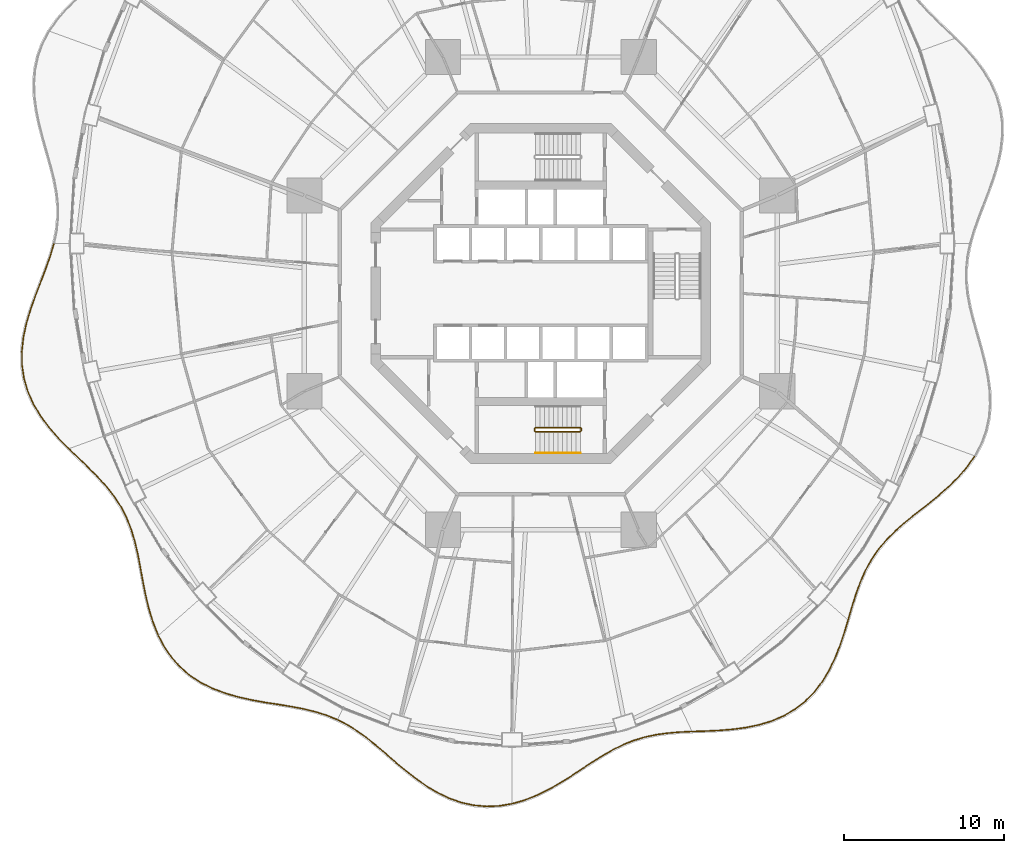
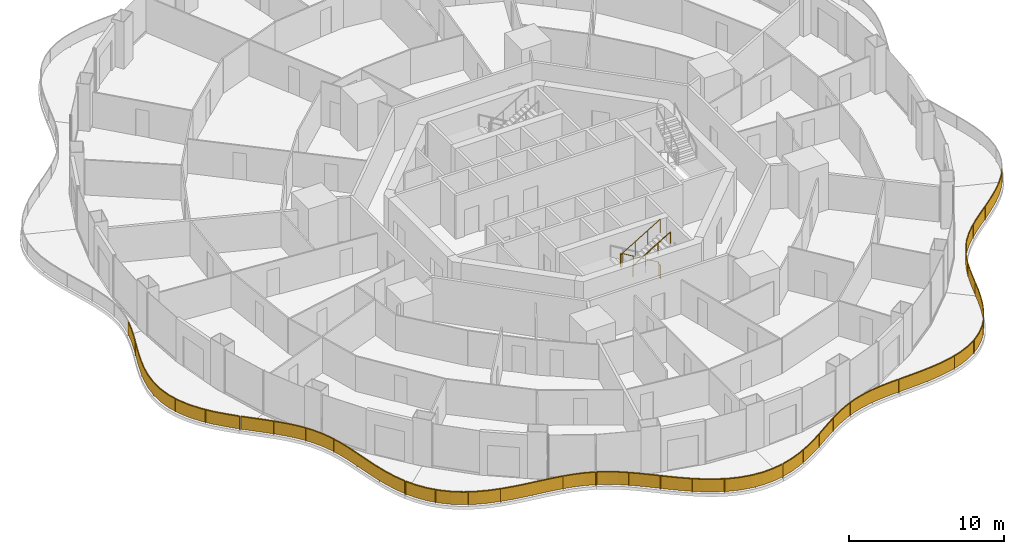
# One storey, part 20 of 22: 9 railings.
"""IFC4 building model written with IfcOpenShell, lengths in metres."""

from ifc_helpers import new_model, si_unit, direction, frame, origin, origin_2d, place, context, subcontext, project, spatial, polyline, rectangle, circle, outline, extrude, material, type_object, element, save


model = new_model("IFC4")

# Units and contexts
model_context = context("Model", 3, precision=1e-05, world=origin(), true_north=direction((0.0, 1.0)))
body_context = subcontext(model_context, "Body", "Model", "MODEL_VIEW")
ifc_project = project(units=[si_unit("LENGTHUNIT", "METRE"), si_unit("AREAUNIT", "SQUARE_METRE"), si_unit("VOLUMEUNIT", "CUBIC_METRE"), si_unit("PLANEANGLEUNIT", "RADIAN"), si_unit("MASSUNIT", "GRAM", prefix="KILO")], contexts=[model_context])

# Site, building, storey
site_placement = place(None, origin())
site = spatial("IfcSite", under=ifc_project, at=site_placement, CompositionType="ELEMENT")
building_placement = place(site_placement, origin())
building = spatial("IfcBuilding", under=site, at=building_placement, Name="Nagisa Residences", CompositionType="ELEMENT")
storey_placement = place(building_placement, frame((0.0, 0.0, 77.0)))
storey = spatial("IfcBuildingStorey", under=building, at=storey_placement, Name="L18", CompositionType="ELEMENT", Elevation=77.0)

# Railings
ifc_material_1 = material(Name="Stainless steel 316", Category="steel")
railing_type_1 = type_object("IfcRailingType", Name="BALCONY GUARD 1100", PredefinedType="BALUSTRADE", material=ifc_material_1)
railing_1_placement = place(storey_placement, frame((-30.450439453125, 3.08349609375, 0.0)))
element("IfcRailing", 1, at=railing_1_placement, inside=storey, type_object=railing_type_1, Name="guard:L18:bal08-0", PredefinedType="BALUSTRADE", context=body_context, shape_type="SweptSolid", body=[
    extrude(outline(polyline([(-0.19775390625, -0.763427734375), (0.02392578125, -0.007080078125), (-0.02392578125, 0.007080078125), (-0.24560546875, -0.748291015625), (-0.530517578125, -1.557373046875), (-0.846923828125, -2.3828125), (-1.169921875, -3.2255859375), (-1.473388671875, -4.08349609375), (-1.732666015625, -4.93994140625), (-1.920654296875, -5.816650390625), (-2.018310546875, -6.69189453125), (-2.010009765625, -7.55810546875), (-1.886962890625, -8.40673828125), (-1.650634765625, -9.216552734375), (-1.298828125, -10.0087890625), (-0.84619140625, -10.765380859375), (-0.31005859375, -11.48486328125), (0.288818359375, -12.169677734375), (0.89599609375, -12.789306640625), (0.931640625, -12.754150390625), (0.325439453125, -12.135498046875), (-0.27099609375, -11.45361328125), (-0.8046875, -10.737548828125), (-1.25439453125, -9.98583984375), (-1.603759765625, -9.199462890625), (-1.838134765625, -8.39599609375), (-1.960205078125, -7.55419921875), (-1.968017578125, -6.6943359375), (-1.871337890625, -5.824462890625), (-1.684326171875, -4.95263671875), (-1.426025390625, -4.09912109375), (-1.123046875, -3.24267578125), (-0.800048828125, -2.40087890625), (-0.483642578125, -1.574462890625), (-0.19775390625, -0.763427734375)])), frame((0.0, 0.0, 1.050048828125)), (0.0, 0.0, 1.0), 0.050048828125),
    extrude(outline(polyline([(-0.215087890625, -0.758056640625), (0.0068359375, -0.001953125), (-0.0068359375, 0.001953125), (-0.228271484375, -0.753662109375), (-0.513671875, -1.5634765625), (-0.830078125, -2.389404296875), (-1.153076171875, -3.231689453125), (-1.456298828125, -4.089111328125), (-1.71533203125, -4.944580078125), (-1.90283203125, -5.8193359375), (-2.000244140625, -6.69287109375), (-1.9921875, -7.556640625), (-1.869384765625, -8.40283203125), (-1.6337890625, -9.21044921875), (-1.28271484375, -10.00048828125), (-0.831298828125, -10.75537109375), (-0.2958984375, -11.4736328125), (0.302001953125, -12.1572265625), (0.908935546875, -12.776611328125), (0.918701171875, -12.766845703125), (0.312255859375, -12.14794921875), (-0.28515625, -11.46484375), (-0.819580078125, -10.74755859375), (-1.2705078125, -9.994140625), (-1.62060546875, -9.20556640625), (-1.855712890625, -8.39990234375), (-1.97802734375, -7.5556640625), (-1.986083984375, -6.693359375), (-1.88916015625, -5.82177734375), (-1.70166015625, -4.947998046875), (-1.443115234375, -4.093505859375), (-1.139892578125, -3.236572265625), (-0.81689453125, -2.394287109375), (-0.50048828125, -1.568359375), (-0.215087890625, -0.758056640625)])), frame((0.0, 0.0, 0.06005859375)), (0.0, 0.0, 1.0), 0.989990234375),
    extrude(rectangle(XDim=0.0400390625, YDim=0.0400390625, at=origin_2d()), origin(), (0.0, 0.0, 1.0), 1.050048828125),
    extrude(rectangle(XDim=0.0400390625, YDim=0.0400390625, at=origin_2d()), frame((-0.75146484375, -2.20361328125, 0.0)), (0.0, 0.0, 1.0), 1.050048828125),
    extrude(rectangle(XDim=0.0400390625, YDim=0.0400390625, at=origin_2d()), frame((-1.54150390625, -4.39453125, 0.0)), (0.0, 0.0, 1.0), 1.050048828125),
    extrude(rectangle(XDim=0.0400390625, YDim=0.0400390625, at=origin_2d()), frame((-1.990966796875, -6.67431640625, 0.0)), (0.0, 0.0, 1.0), 1.050048828125),
    extrude(rectangle(XDim=0.0400390625, YDim=0.0400390625, at=origin_2d()), frame((-1.6962890625, -8.970947265625, 0.0)), (0.0, 0.0, 1.0), 1.050048828125),
    extrude(rectangle(XDim=0.0400390625, YDim=0.0400390625, at=origin_2d()), frame((-0.6220703125, -11.0244140625, 0.0)), (0.0, 0.0, 1.0), 1.050048828125),
    extrude(rectangle(XDim=0.0400390625, YDim=0.0400390625, at=origin_2d()), frame((0.913818359375, -12.771728515625, 0.0)), (0.0, 0.0, 1.0), 1.050048828125),
])
railing_2_placement = place(storey_placement, frame((-29.481201171875, -9.7412109375, 0.0)))
element("IfcRailing", 2, at=railing_2_placement, inside=storey, type_object=railing_type_1, Name="guard:L18:bal09-0", PredefinedType="BALUSTRADE", context=body_context, shape_type="SweptSolid", body=[
    extrude(outline(polyline([(0.6162109375, -0.559814453125), (0.017333984375, 0.01806640625), (-0.017333984375, -0.01806640625), (0.58154296875, -0.595947265625), (1.201171875, -1.193359375), (1.79052734375, -1.787353515625), (2.33203125, -2.38818359375), (2.814208984375, -3.00634765625), (3.222900390625, -3.63818359375), (3.56982421875, -4.317626953125), (3.852783203125, -5.0361328125), (4.080810546875, -5.795654296875), (4.267578125, -6.594482421875), (4.42138671875, -7.41455078125), (4.578857421875, -8.271240234375), (4.751708984375, -9.14013671875), (4.95947265625, -10.006591796875), (5.22021484375, -10.85400390625), (5.529296875, -11.623291015625), (5.57568359375, -11.604736328125), (5.267578125, -10.83740234375), (5.0078125, -9.993408203125), (4.800537109375, -9.12939453125), (4.628173828125, -8.261962890625), (4.470703125, -7.4052734375), (4.31640625, -6.584228515625), (4.129150390625, -5.782958984375), (3.900146484375, -5.01953125), (3.61572265625, -4.297119140625), (3.266357421875, -3.61328125), (2.855224609375, -2.9775390625), (2.37060546875, -2.35595703125), (1.82666015625, -1.753173828125), (1.236328125, -1.15771484375), (0.6162109375, -0.559814453125)])), frame((0.0, 0.0, 1.050048828125)), (0.0, 0.0, 1.0), 0.050048828125),
    extrude(outline(polyline([(0.603759765625, -0.57275390625), (0.0048828125, 0.005126953125), (-0.0048828125, -0.005126953125), (0.593994140625, -0.5830078125), (1.2138671875, -1.180419921875), (1.803466796875, -1.775146484375), (2.345947265625, -2.37646484375), (2.8291015625, -2.99609375), (3.238525390625, -3.629150390625), (3.58642578125, -4.310302734375), (3.869873046875, -5.030029296875), (4.09814453125, -5.791015625), (4.28515625, -6.5908203125), (4.439208984375, -7.4111328125), (4.5966796875, -8.267822265625), (4.769287109375, -9.13623046875), (4.976806640625, -10.001953125), (5.2373046875, -10.84814453125), (5.5458984375, -11.61669921875), (5.55908203125, -11.611328125), (5.25048828125, -10.84326171875), (4.990478515625, -9.998046875), (4.782958984375, -9.13330078125), (4.6103515625, -8.265380859375), (4.452880859375, -7.40869140625), (4.298828125, -6.587890625), (4.11181640625, -5.78759765625), (3.883056640625, -5.025634765625), (3.59912109375, -4.304443359375), (3.250732421875, -3.622314453125), (2.84033203125, -2.98779296875), (2.356689453125, -2.36767578125), (1.813720703125, -1.765380859375), (1.2236328125, -1.170654296875), (0.603759765625, -0.57275390625)])), frame((0.0, 0.0, 0.06005859375)), (0.0, 0.0, 1.0), 0.989990234375),
    extrude(rectangle(XDim=0.0400390625, YDim=0.0400390625, at=origin_2d()), origin(), (0.0, 0.0, 1.0), 1.050048828125),
    extrude(rectangle(XDim=0.0400390625, YDim=0.0400390625, at=origin_2d()), frame((1.579345703125, -1.5390625, 0.0)), (0.0, 0.0, 1.0), 1.050048828125),
    extrude(rectangle(XDim=0.0400390625, YDim=0.0400390625, at=origin_2d()), frame((2.988525390625, -3.22998046875, 0.0)), (0.0, 0.0, 1.0), 1.050048828125),
    extrude(rectangle(XDim=0.0400390625, YDim=0.0400390625, at=origin_2d()), frame((3.932373046875, -5.2138671875, 0.0)), (0.0, 0.0, 1.0), 1.050048828125),
    extrude(rectangle(XDim=0.0400390625, YDim=0.0400390625, at=origin_2d()), frame((4.4365234375, -7.35888671875, 0.0)), (0.0, 0.0, 1.0), 1.050048828125),
    extrude(rectangle(XDim=0.0400390625, YDim=0.0400390625, at=origin_2d()), frame((4.86865234375, -9.52099609375, 0.0)), (0.0, 0.0, 1.0), 1.050048828125),
    extrude(rectangle(XDim=0.0400390625, YDim=0.0400390625, at=origin_2d()), frame((5.552490234375, -11.614013671875, 0.0)), (0.0, 0.0, 1.0), 1.050048828125),
])
railing_3_placement = place(storey_placement, frame((-23.896728515625, -21.425537109375, 0.0)))
element("IfcRailing", 3, at=railing_3_placement, inside=storey, type_object=railing_type_1, Name="guard:L18:bal10-0", PredefinedType="BALUSTRADE", context=body_context, shape_type="SweptSolid", body=[
    extrude(outline(polyline([(0.383056640625, -0.671630859375), (0.022216796875, 0.01171875), (-0.022216796875, -0.01171875), (0.340087890625, -0.697509765625), (0.802490234375, -1.366455078125), (1.3427734375, -1.966796875), (1.957763671875, -2.4921875), (2.640869140625, -2.939697265625), (3.369384765625, -3.2998046875), (4.155517578125, -3.598876953125), (4.9736328125, -3.83544921875), (5.808349609375, -4.02197265625), (6.646240234375, -4.17333984375), (7.460693359375, -4.297119140625), (8.26806640625, -4.42919921875), (9.04736328125, -4.577392578125), (9.793701171875, -4.75732421875), (10.505126953125, -4.9814453125), (11.1455078125, -5.243896484375), (11.16455078125, -5.197509765625), (10.522216796875, -4.9345703125), (9.806884765625, -4.708984375), (9.05810546875, -4.528564453125), (8.27685546875, -4.3798828125), (7.468505859375, -4.247802734375), (6.654541015625, -4.1240234375), (5.818115234375, -3.97314453125), (4.98583984375, -3.787109375), (4.171630859375, -3.551513671875), (3.389404296875, -3.25390625), (2.665771484375, -2.896240234375), (1.988037109375, -2.4521484375), (1.3779296875, -1.9306640625), (0.842041015625, -1.335205078125), (0.383056640625, -0.671630859375)])), frame((0.0, 0.0, 1.050048828125)), (0.0, 0.0, 1.0), 0.050048828125),
    extrude(outline(polyline([(0.36767578125, -0.680908203125), (0.006103515625, 0.003173828125), (-0.006103515625, -0.003173828125), (0.35546875, -0.688232421875), (0.816650390625, -1.355224609375), (1.35546875, -1.953857421875), (1.96875, -2.477783203125), (2.64990234375, -2.924072265625), (3.376708984375, -3.283203125), (4.161376953125, -3.581787109375), (4.97802734375, -3.818115234375), (5.811767578125, -4.00439453125), (6.649169921875, -4.155517578125), (7.463623046875, -4.279296875), (8.271240234375, -4.411376953125), (9.05126953125, -4.559814453125), (9.79833984375, -4.739990234375), (10.51123046875, -4.964599609375), (11.15234375, -5.227294921875), (11.15771484375, -5.214111328125), (10.51611328125, -4.951416015625), (9.80224609375, -4.726318359375), (9.05419921875, -4.546142578125), (8.273681640625, -4.397705078125), (7.465576171875, -4.265625), (6.651611328125, -4.141845703125), (5.814697265625, -3.99072265625), (4.9814453125, -3.804443359375), (4.165771484375, -3.568603515625), (3.382080078125, -3.2705078125), (2.65673828125, -2.911865234375), (1.97705078125, -2.466552734375), (1.365234375, -1.943603515625), (0.827880859375, -1.346435546875), (0.36767578125, -0.680908203125)])), frame((0.0, 0.0, 0.06005859375)), (0.0, 0.0, 1.0), 0.989990234375),
    extrude(rectangle(XDim=0.0400390625, YDim=0.0400390625, at=origin_2d()), origin(), (0.0, 0.0, 1.0), 1.050048828125),
    extrude(rectangle(XDim=0.0400390625, YDim=0.0400390625, at=origin_2d()), frame((1.196044921875, -1.76611328125, 0.0)), (0.0, 0.0, 1.0), 1.050048828125),
    extrude(rectangle(XDim=0.0400390625, YDim=0.0400390625, at=origin_2d()), frame((2.902587890625, -3.041259765625, 0.0)), (0.0, 0.0, 1.0), 1.050048828125),
    extrude(rectangle(XDim=0.0400390625, YDim=0.0400390625, at=origin_2d()), frame((4.9052734375, -3.789794921875, 0.0)), (0.0, 0.0, 1.0), 1.050048828125),
    extrude(rectangle(XDim=0.0400390625, YDim=0.0400390625, at=origin_2d()), frame((7.0068359375, -4.202880859375, 0.0)), (0.0, 0.0, 1.0), 1.050048828125),
    extrude(rectangle(XDim=0.0400390625, YDim=0.0400390625, at=origin_2d()), frame((9.117919921875, -4.568603515625, 0.0)), (0.0, 0.0, 1.0), 1.050048828125),
    extrude(rectangle(XDim=0.0400390625, YDim=0.0400390625, at=origin_2d()), frame((11.155029296875, -5.220703125, 0.0)), (0.0, 0.0, 1.0), 1.050048828125),
])
railing_4_placement = place(storey_placement, frame((-12.679443359375, -26.6748046875, 0.0)))
element("IfcRailing", 4, at=railing_4_placement, inside=storey, type_object=railing_type_1, Name="guard:L18:bal11-0", PredefinedType="BALUSTRADE", context=body_context, shape_type="SweptSolid", body=[
    extrude(outline(polyline([(0.603759765625, -0.283935546875), (0.011474609375, 0.022216796875), (-0.011474609375, -0.022216796875), (0.578857421875, -0.327392578125), (1.18701171875, -0.707275390625), (1.782958984375, -1.138916015625), (2.37548828125, -1.615478515625), (2.97265625, -2.124267578125), (3.566162109375, -2.646728515625), (4.1962890625, -3.175048828125), (4.85107421875, -3.68603515625), (5.533935546875, -4.160400390625), (6.2451171875, -4.58056640625), (6.96728515625, -4.9267578125), (7.72900390625, -5.19091796875), (8.51025390625, -5.360107421875), (9.302978515625, -5.4287109375), (10.10009765625, -5.39501953125), (10.845458984375, -5.26953125), (10.837158203125, -5.22021484375), (10.0947265625, -5.34521484375), (9.303955078125, -5.37841796875), (8.517578125, -5.310302734375), (7.74267578125, -5.142578125), (6.986328125, -4.88037109375), (6.2685546875, -4.5361328125), (5.560791015625, -4.118408203125), (4.880859375, -3.6455078125), (4.2275390625, -3.135986328125), (3.598876953125, -2.608642578125), (3.00537109375, -2.086669921875), (2.4072265625, -1.576904296875), (1.813232421875, -1.099365234375), (1.21484375, -0.665771484375), (0.603759765625, -0.283935546875)])), frame((0.0, 0.0, 1.050048828125)), (0.0, 0.0, 1.0), 0.050048828125),
    extrude(outline(polyline([(0.5947265625, -0.299560546875), (0.003173828125, 0.006103515625), (-0.003173828125, -0.006103515625), (0.587890625, -0.311767578125), (1.197021484375, -0.6923828125), (1.7939453125, -1.124755859375), (2.386962890625, -1.6015625), (2.984375, -2.11083984375), (3.577880859375, -2.633056640625), (4.20751953125, -3.160888671875), (4.86181640625, -3.67138671875), (5.543701171875, -4.145263671875), (6.25341796875, -4.564453125), (6.97412109375, -4.91015625), (7.73388671875, -5.173583984375), (8.512939453125, -5.342041015625), (9.30322265625, -5.41064453125), (10.09814453125, -5.377197265625), (10.842529296875, -5.251708984375), (10.840087890625, -5.238037109375), (10.0966796875, -5.363037109375), (9.3037109375, -5.396484375), (8.514892578125, -5.328369140625), (7.73779296875, -5.159912109375), (6.9794921875, -4.89697265625), (6.26025390625, -4.55224609375), (5.551025390625, -4.133544921875), (4.8701171875, -3.66015625), (4.21630859375, -3.150146484375), (3.587158203125, -2.622314453125), (2.99365234375, -2.10009765625), (2.395751953125, -1.5908203125), (1.80224609375, -1.113525390625), (1.204833984375, -0.6806640625), (0.5947265625, -0.299560546875)])), frame((0.0, 0.0, 0.06005859375)), (0.0, 0.0, 1.0), 0.989990234375),
    extrude(rectangle(XDim=0.0400390625, YDim=0.0400390625, at=origin_2d()), origin(), (0.0, 0.0, 1.0), 1.050048828125),
    extrude(rectangle(XDim=0.0400390625, YDim=0.0400390625, at=origin_2d()), frame((1.767333984375, -1.096923828125, 0.0)), (0.0, 0.0, 1.0), 1.050048828125),
    extrude(rectangle(XDim=0.0400390625, YDim=0.0400390625, at=origin_2d()), frame((3.364013671875, -2.435302734375, 0.0)), (0.0, 0.0, 1.0), 1.050048828125),
    extrude(rectangle(XDim=0.0400390625, YDim=0.0400390625, at=origin_2d()), frame((4.982421875, -3.74658203125, 0.0)), (0.0, 0.0, 1.0), 1.050048828125),
    extrude(rectangle(XDim=0.0400390625, YDim=0.0400390625, at=origin_2d()), frame((6.7724609375, -4.8056640625, 0.0)), (0.0, 0.0, 1.0), 1.050048828125),
    extrude(rectangle(XDim=0.0400390625, YDim=0.0400390625, at=origin_2d()), frame((8.770751953125, -5.357421875, 0.0)), (0.0, 0.0, 1.0), 1.050048828125),
    extrude(rectangle(XDim=0.0400390625, YDim=0.0400390625, at=origin_2d()), frame((10.84130859375, -5.244873046875, 0.0)), (0.0, 0.0, 1.0), 1.050048828125),
])
railing_5_placement = place(storey_placement, frame((-1.7626953125, -31.902099609375, 0.0)))
element("IfcRailing", 5, at=railing_5_placement, inside=storey, type_object=railing_type_1, Name="guard:L18:bal12-0", PredefinedType="BALUSTRADE", context=body_context, shape_type="SweptSolid", body=[
    extrude(outline(polyline([(0.7265625, 0.234375), (-0.0068359375, 0.024169921875), (0.0068359375, -0.024169921875), (0.74267578125, 0.18701171875), (1.510009765625, 0.488525390625), (2.2568359375, 0.853515625), (2.980712890625, 1.2646484375), (3.68212890625, 1.70263671875), (4.3447265625, 2.145751953125), (5.007568359375, 2.580810546875), (5.659423828125, 2.989013671875), (6.30615234375, 3.356689453125), (6.95556640625, 3.674072265625), (7.598388671875, 3.93017578125), (8.2744140625, 4.1337890625), (8.973388671875, 4.282470703125), (9.697998046875, 4.383056640625), (10.450439453125, 4.4462890625), (11.183349609375, 4.48095703125), (11.180908203125, 4.53076171875), (10.447021484375, 4.49609375), (9.692626953125, 4.432861328125), (8.964599609375, 4.331787109375), (8.26220703125, 4.18212890625), (7.581787109375, 3.9775390625), (6.93505859375, 3.719970703125), (6.28271484375, 3.401123046875), (5.633544921875, 3.031982421875), (4.980712890625, 2.622802734375), (4.31689453125, 2.187255859375), (3.65478515625, 1.74462890625), (2.955322265625, 1.3076171875), (2.2333984375, 0.89794921875), (1.489990234375, 0.534423828125), (0.7265625, 0.234375)])), frame((0.0, 0.0, 1.050048828125)), (0.0, 0.0, 1.0), 0.050048828125),
    extrude(outline(polyline([(0.732421875, 0.21728515625), (-0.001953125, 0.0068359375), (0.001953125, -0.0068359375), (0.73681640625, 0.2041015625), (1.5029296875, 0.505126953125), (2.248291015625, 0.86962890625), (2.9716796875, 1.280029296875), (3.67236328125, 1.7177734375), (4.334716796875, 2.16064453125), (4.997802734375, 2.595947265625), (5.650146484375, 3.00439453125), (6.297607421875, 3.372802734375), (6.9482421875, 3.690673828125), (7.59228515625, 3.947265625), (8.27001953125, 4.151123046875), (8.97021484375, 4.30029296875), (9.696044921875, 4.40087890625), (10.44921875, 4.464111328125), (11.182373046875, 4.498779296875), (11.181884765625, 4.512939453125), (10.4482421875, 4.478271484375), (9.694580078125, 4.4150390625), (8.9677734375, 4.31396484375), (8.2666015625, 4.164794921875), (7.587890625, 3.96044921875), (6.9423828125, 3.703369140625), (6.291259765625, 3.385009765625), (5.642822265625, 3.0166015625), (4.990478515625, 2.607666015625), (4.326904296875, 2.17236328125), (3.66455078125, 1.7294921875), (2.96435546875, 1.292236328125), (2.241943359375, 0.8818359375), (1.4970703125, 0.517822265625), (0.732421875, 0.21728515625)])), frame((0.0, 0.0, 0.06005859375)), (0.0, 0.0, 1.0), 0.989990234375),
    extrude(rectangle(XDim=0.0400390625, YDim=0.0400390625, at=origin_2d()), origin(), (0.0, 0.0, 1.0), 1.050048828125),
    extrude(rectangle(XDim=0.0400390625, YDim=0.0400390625, at=origin_2d()), frame((1.908203125, 0.7109375, 0.0)), (0.0, 0.0, 1.0), 1.050048828125),
    extrude(rectangle(XDim=0.0400390625, YDim=0.0400390625, at=origin_2d()), frame((3.675537109375, 1.728515625, 0.0)), (0.0, 0.0, 1.0), 1.050048828125),
    extrude(rectangle(XDim=0.0400390625, YDim=0.0400390625, at=origin_2d()), frame((5.38330078125, 2.845703125, 0.0)), (0.0, 0.0, 1.0), 1.050048828125),
    extrude(rectangle(XDim=0.0400390625, YDim=0.0400390625, at=origin_2d()), frame((7.187255859375, 3.79345703125, 0.0)), (0.0, 0.0, 1.0), 1.050048828125),
    extrude(rectangle(XDim=0.0400390625, YDim=0.0400390625, at=origin_2d()), frame((9.14990234375, 4.332275390625, 0.0)), (0.0, 0.0, 1.0), 1.050048828125),
    extrude(rectangle(XDim=0.0400390625, YDim=0.0400390625, at=origin_2d()), frame((11.18212890625, 4.505859375, 0.0)), (0.0, 0.0, 1.0), 1.050048828125),
])
railing_6_placement = place(storey_placement, frame((9.494384765625, -27.39501953125, 0.0)))
element("IfcRailing", 6, at=railing_6_placement, inside=storey, type_object=railing_type_1, Name="guard:L18:bal13-0", PredefinedType="BALUSTRADE", context=body_context, shape_type="SweptSolid", body=[
    extrude(outline(polyline([(0.784912109375, 0.052001953125), (-0.0009765625, 0.02490234375), (0.0009765625, -0.02490234375), (0.786865234375, 0.002197265625), (1.63427734375, 0.04248046875), (2.488525390625, 0.110595703125), (3.338134765625, 0.223876953125), (4.168701171875, 0.39697265625), (4.957275390625, 0.635009765625), (5.715087890625, 0.962646484375), (6.418701171875, 1.376220703125), (7.05859375, 1.874755859375), (7.630126953125, 2.454345703125), (8.1181640625, 3.09521484375), (8.54931640625, 3.807861328125), (8.917236328125, 4.567138671875), (9.23095703125, 5.357666015625), (9.50341796875, 6.16357421875), (9.73291015625, 6.92724609375), (9.68505859375, 6.94189453125), (9.45556640625, 6.1787109375), (9.18408203125, 5.374755859375), (8.871337890625, 4.587158203125), (8.50537109375, 3.831787109375), (8.07666015625, 3.12353515625), (7.592041015625, 2.487060546875), (7.025390625, 1.912353515625), (6.390380859375, 1.417724609375), (5.692626953125, 1.007568359375), (4.940185546875, 0.681884765625), (4.156494140625, 0.4453125), (3.329833984375, 0.273193359375), (2.483154296875, 0.160400390625), (1.630859375, 0.09228515625), (0.784912109375, 0.052001953125)])), frame((0.0, 0.0, 1.050048828125)), (0.0, 0.0, 1.0), 0.050048828125),
    extrude(outline(polyline([(0.78564453125, 0.0341796875), (-0.000244140625, 0.007080078125), (0.000244140625, -0.007080078125), (0.7861328125, 0.02001953125), (1.633056640625, 0.060302734375), (2.486572265625, 0.12841796875), (3.335205078125, 0.24169921875), (4.164306640625, 0.414306640625), (4.951171875, 0.65185546875), (5.70703125, 0.978759765625), (6.408447265625, 1.39111328125), (7.046630859375, 1.888427734375), (7.616455078125, 2.466064453125), (8.103271484375, 3.10546875), (8.533447265625, 3.81640625), (8.900634765625, 4.57421875), (9.214111328125, 5.36376953125), (9.486083984375, 6.1689453125), (9.715576171875, 6.9326171875), (9.702392578125, 6.9365234375), (9.472900390625, 6.17333984375), (9.200927734375, 5.36865234375), (8.887939453125, 4.580078125), (8.521240234375, 3.8232421875), (8.091552734375, 3.11328125), (7.605712890625, 2.475341796875), (7.037353515625, 1.898681640625), (6.400634765625, 1.40283203125), (5.70068359375, 0.991455078125), (4.9462890625, 0.6650390625), (4.160888671875, 0.427978515625), (3.332763671875, 0.25537109375), (2.485107421875, 0.142578125), (1.632080078125, 0.074462890625), (0.78564453125, 0.0341796875)])), frame((0.0, 0.0, 0.06005859375)), (0.0, 0.0, 1.0), 0.989990234375),
    extrude(rectangle(XDim=0.0400390625, YDim=0.0400390625, at=origin_2d()), origin(), (0.0, 0.0, 1.0), 1.050048828125),
    extrude(rectangle(XDim=0.0400390625, YDim=0.0400390625, at=origin_2d()), frame((2.203125, 0.113037109375, 0.0)), (0.0, 0.0, 1.0), 1.050048828125),
    extrude(rectangle(XDim=0.0400390625, YDim=0.0400390625, at=origin_2d()), frame((4.373779296875, 0.48486328125, 0.0)), (0.0, 0.0, 1.0), 1.050048828125),
    extrude(rectangle(XDim=0.0400390625, YDim=0.0400390625, at=origin_2d()), frame((6.37890625, 1.3818359375, 0.0)), (0.0, 0.0, 1.0), 1.050048828125),
    extrude(rectangle(XDim=0.0400390625, YDim=0.0400390625, at=origin_2d()), frame((7.948974609375, 2.91455078125, 0.0)), (0.0, 0.0, 1.0), 1.050048828125),
    extrude(rectangle(XDim=0.0400390625, YDim=0.0400390625, at=origin_2d()), frame((9.0009765625, 4.84619140625, 0.0)), (0.0, 0.0, 1.0), 1.050048828125),
    extrude(rectangle(XDim=0.0400390625, YDim=0.0400390625, at=origin_2d()), frame((9.708984375, 6.9345703125, 0.0)), (0.0, 0.0, 1.0), 1.050048828125),
])
railing_7_placement = place(storey_placement, frame((19.2236328125, -20.386962890625, 0.0)))
element("IfcRailing", 7, at=railing_7_placement, inside=storey, type_object=railing_type_1, Name="guard:L18:bal14-0", PredefinedType="BALUSTRADE", context=body_context, shape_type="SweptSolid", body=[
    extrude(outline(polyline([(0.20703125, 0.795654296875), (-0.02392578125, 0.007080078125), (0.02392578125, -0.007080078125), (0.2548828125, 0.781005859375), (0.5078125, 1.58349609375), (0.78564453125, 2.34765625), (1.104248046875, 3.06689453125), (1.4755859375, 3.739990234375), (1.900146484375, 4.356201171875), (2.3974609375, 4.946533203125), (2.95654296875, 5.5068359375), (3.5703125, 6.04833984375), (4.225830078125, 6.582275390625), (4.89990234375, 7.108154296875), (5.5849609375, 7.66357421875), (6.25341796875, 8.24560546875), (6.882080078125, 8.862060546875), (7.450439453125, 9.5185546875), (7.91357421875, 10.177978515625), (7.87255859375, 10.206787109375), (7.410888671875, 9.54931640625), (6.845458984375, 8.896240234375), (6.21923828125, 8.2822265625), (5.552734375, 7.70166015625), (4.86865234375, 7.147216796875), (4.194580078125, 6.621337890625), (3.5380859375, 6.08642578125), (2.92236328125, 5.54345703125), (2.3603515625, 4.980224609375), (1.860107421875, 4.386474609375), (1.43310546875, 3.766357421875), (1.059326171875, 3.08935546875), (0.7392578125, 2.3662109375), (0.46044921875, 1.599609375), (0.20703125, 0.795654296875)])), frame((0.0, 0.0, 1.050048828125)), (0.0, 0.0, 1.0), 0.050048828125),
    extrude(outline(polyline([(0.224365234375, 0.790283203125), (-0.0068359375, 0.001953125), (0.0068359375, -0.001953125), (0.237548828125, 0.786376953125), (0.49072265625, 1.58935546875), (0.76904296875, 2.354248046875), (1.088134765625, 3.074951171875), (1.460205078125, 3.74951171875), (1.8857421875, 4.3671875), (2.384033203125, 4.958740234375), (2.9443359375, 5.52001953125), (3.558837890625, 6.06201171875), (4.214599609375, 6.596435546875), (4.888671875, 7.122314453125), (5.5732421875, 7.67724609375), (6.240966796875, 8.2587890625), (6.868896484375, 8.874267578125), (7.436279296875, 9.529541015625), (7.898681640625, 10.1884765625), (7.887451171875, 10.1962890625), (7.425048828125, 9.538330078125), (6.858642578125, 8.884033203125), (6.231689453125, 8.26904296875), (5.564453125, 7.68798828125), (4.8798828125, 7.133056640625), (4.205810546875, 6.607177734375), (3.549560546875, 6.07275390625), (2.9345703125, 5.5302734375), (2.373779296875, 4.968017578125), (1.87451171875, 4.37548828125), (1.448486328125, 3.7568359375), (1.075439453125, 3.081298828125), (0.755859375, 2.359619140625), (0.4775390625, 1.59375), (0.224365234375, 0.790283203125)])), frame((0.0, 0.0, 0.06005859375)), (0.0, 0.0, 1.0), 0.989990234375),
    extrude(rectangle(XDim=0.0400390625, YDim=0.0400390625, at=origin_2d()), origin(), (0.0, 0.0, 1.0), 1.050048828125),
    extrude(rectangle(XDim=0.0400390625, YDim=0.0400390625, at=origin_2d()), frame((0.6669921875, 2.094482421875, 0.0)), (0.0, 0.0, 1.0), 1.050048828125),
    extrude(rectangle(XDim=0.0400390625, YDim=0.0400390625, at=origin_2d()), frame((1.658447265625, 4.049560546875, 0.0)), (0.0, 0.0, 1.0), 1.050048828125),
    extrude(rectangle(XDim=0.0400390625, YDim=0.0400390625, at=origin_2d()), frame((3.11962890625, 5.68408203125, 0.0)), (0.0, 0.0, 1.0), 1.050048828125),
    extrude(rectangle(XDim=0.0400390625, YDim=0.0400390625, at=origin_2d()), frame((4.81982421875, 7.077392578125, 0.0)), (0.0, 0.0, 1.0), 1.050048828125),
    extrude(rectangle(XDim=0.0400390625, YDim=0.0400390625, at=origin_2d()), frame((6.486572265625, 8.509521484375, 0.0)), (0.0, 0.0, 1.0), 1.050048828125),
    extrude(rectangle(XDim=0.0400390625, YDim=0.0400390625, at=origin_2d()), frame((7.89306640625, 10.1923828125, 0.0)), (0.0, 0.0, 1.0), 1.050048828125),
])
ifc_material_2 = material(Name="Stainless steel", Category="steel")
railing_type_2 = type_object("IfcRailingType", Name="Stair guard 1100", PredefinedType="GUARDRAIL", material=ifc_material_2)
railing_8_placement = place(storey_placement, frame((2.52490234375, -8.599609375, 0.0)))
element("IfcRailing", 8, at=railing_8_placement, inside=storey, type_object=railing_type_2, Name="L18 ST-S stair guard 1", PredefinedType="GUARDRAIL", context=body_context, shape_type="SweptSolid", body=[
    extrude(circle(Radius=0.02392578125, at=origin_2d()), frame((0.0, 0.0, 1.076171875), z_axis=(0.0, 1.0, 0.0), x_axis=(-1.0, 0.0, 0.0)), (0.0, 0.0, 1.0), 0.14990234375),
    extrude(circle(Radius=0.02392578125, at=origin_2d()), frame((0.0, 0.14990234375, 1.076171875), z_axis=(-0.273006030465, 0.27434429532, 0.922064485248), x_axis=(-0.708833529934, -0.705375805398, 0.0)), (0.0, 0.0, 1.0), 0.182373046875),
    extrude(circle(Radius=0.02392578125, at=origin_2d()), frame((-0.0498046875, 0.199951171875, 1.244140625), z_axis=(-0.857242210791, 0.0, 0.514913383045), x_axis=(0.0, -1.0, 0.0)), (0.0, 0.0, 1.0), 3.266357421875),
    extrude(circle(Radius=0.02392578125, at=origin_2d()), frame((-2.849853515625, 0.199951171875, 2.92626953125), z_axis=(-0.707106781187, -0.707106781187, 0.0), x_axis=(0.707106781187, -0.707106781187, 0.0)), (0.0, 0.0, 1.0), 0.07080078125),
    extrude(circle(Radius=0.02392578125, at=origin_2d()), frame((-2.89990234375, 0.14990234375, 2.92626953125), z_axis=(0.0, -1.0, 0.0), x_axis=(1.0, 0.0, 0.0)), (0.0, 0.0, 1.0), 0.14990234375),
    extrude(circle(Radius=0.02392578125, at=origin_2d()), frame((-2.89990234375, 0.0, 2.92626953125), z_axis=(0.274582412415, -0.274582412415, 0.921525364591), x_axis=(0.707106781187, 0.707106781187, 0.0)), (0.0, 0.0, 1.0), 0.182373046875),
    extrude(circle(Radius=0.02392578125, at=origin_2d()), frame((-2.849853515625, -0.050048828125, 3.09423828125), z_axis=(0.857242210791, 0.0, 0.514913383045), x_axis=(0.0, 1.0, 0.0)), (0.0, 0.0, 1.0), 3.266357421875),
    extrude(circle(Radius=0.02099609375, at=origin_2d()), origin(), (0.0, 0.0, 1.0), 1.052001953125),
    extrude(circle(Radius=0.02099609375, at=origin_2d()), frame((0.0, 0.14990234375, 0.0)), (0.0, 0.0, 1.0), 1.052001953125),
    extrude(circle(Radius=0.02099609375, at=origin_2d()), frame((-0.0498046875, 0.199951171875, 0.168212890625)), (0.0, 0.0, 1.0), 1.052001953125),
    extrude(circle(Radius=0.02099609375, at=origin_2d()), frame((-0.983154296875, 0.199951171875, 0.728759765625)), (0.0, 0.0, 1.0), 1.052001953125),
    extrude(circle(Radius=0.02099609375, at=origin_2d()), frame((-1.91650390625, 0.199951171875, 1.28955078125)), (0.0, 0.0, 1.0), 1.052001953125),
    extrude(circle(Radius=0.02099609375, at=origin_2d()), frame((-2.849853515625, 0.199951171875, 1.85009765625)), (0.0, 0.0, 1.0), 1.052001953125),
    extrude(circle(Radius=0.02099609375, at=origin_2d()), frame((-2.89990234375, 0.14990234375, 1.85009765625)), (0.0, 0.0, 1.0), 1.052001953125),
    extrude(circle(Radius=0.02099609375, at=origin_2d()), frame((-2.89990234375, 0.0, 1.85009765625)), (0.0, 0.0, 1.0), 1.052001953125),
    extrude(circle(Radius=0.02099609375, at=origin_2d()), frame((-2.849853515625, -0.050048828125, 2.01806640625)), (0.0, 0.0, 1.0), 1.052001953125),
    extrude(circle(Radius=0.02099609375, at=origin_2d()), frame((-1.91650390625, -0.050048828125, 2.57861328125)), (0.0, 0.0, 1.0), 1.052001953125),
    extrude(circle(Radius=0.02099609375, at=origin_2d()), frame((-0.983154296875, -0.050048828125, 3.139404296875)), (0.0, 0.0, 1.0), 1.052001953125),
    extrude(circle(Radius=0.02099609375, at=origin_2d()), frame((-0.0498046875, -0.050048828125, 3.699951171875)), (0.0, 0.0, 1.0), 1.052001953125),
])
ifc_material_3 = material(Name="Stainless steel", Category="steel")
railing_type_3 = type_object("IfcRailingType", Name="Stair handrail 900", PredefinedType="HANDRAIL", material=ifc_material_3)
railing_9_placement = place(storey_placement, frame((-0.324951171875, -9.974609375, 2.01806640625)))
element("IfcRailing", 9, at=railing_9_placement, inside=storey, type_object=railing_type_3, Name="L18 ST-S stair handrail 2", PredefinedType="HANDRAIL", context=body_context, shape_type="SweptSolid", body=[
    extrude(circle(Radius=0.02392578125, at=origin_2d()), frame((0.0, 0.0, 0.8759765625), z_axis=(0.857242210791, 0.0, 0.514913383045), x_axis=(0.0, 1.0, 0.0)), (0.0, 0.0, 1.0), 3.266357421875),
    extrude(circle(Radius=0.02099609375, at=origin_2d()), origin(), (0.0, 0.0, 1.0), 0.851806640625),
    extrude(circle(Radius=0.02099609375, at=origin_2d()), frame((0.933349609375, 0.0, 0.560546875)), (0.0, 0.0, 1.0), 0.851806640625),
    extrude(circle(Radius=0.02099609375, at=origin_2d()), frame((1.86669921875, 0.0, 1.121337890625)), (0.0, 0.0, 1.0), 0.851806640625),
    extrude(circle(Radius=0.02099609375, at=origin_2d()), frame((2.800048828125, 0.0, 1.681884765625)), (0.0, 0.0, 1.0), 0.851806640625),
])

save(model, "model.ifc")
